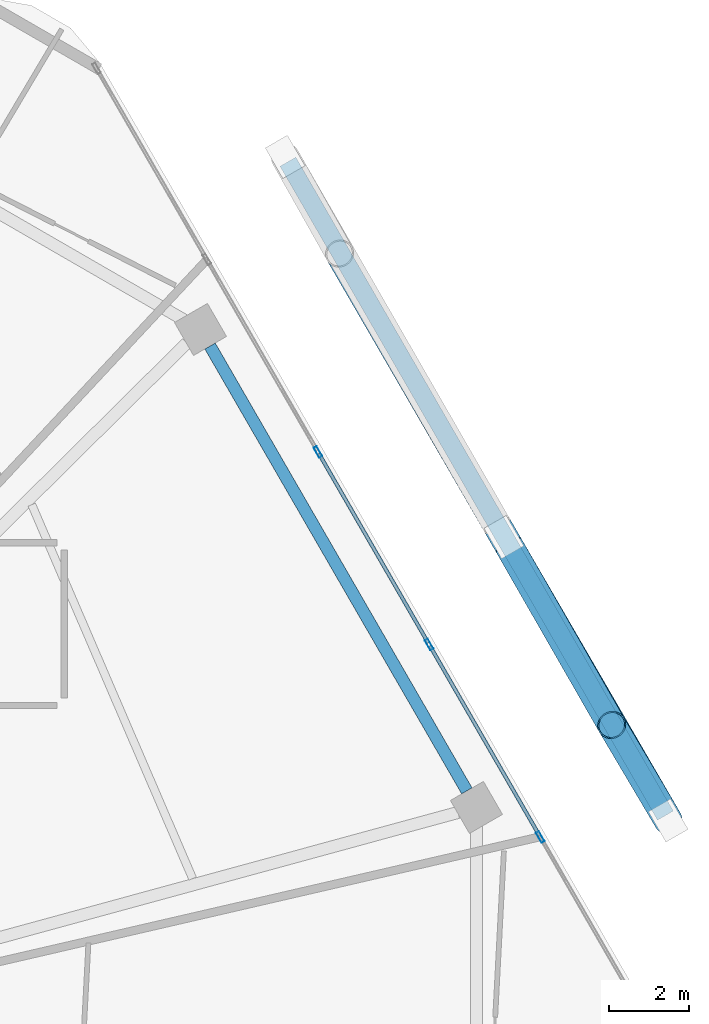
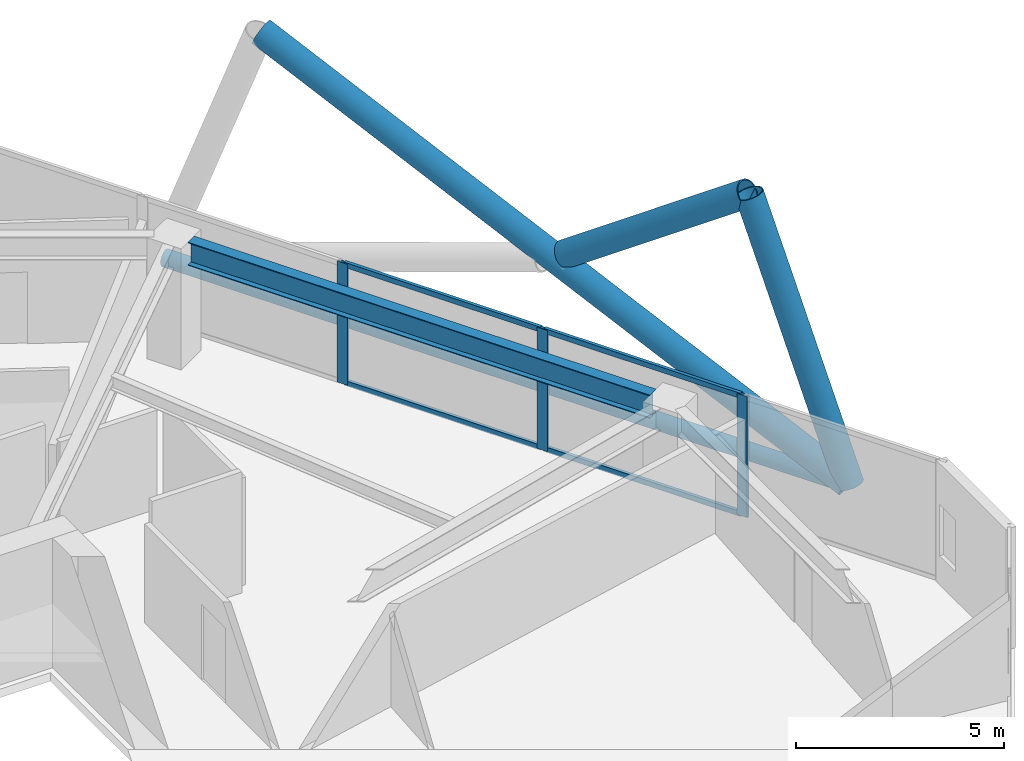
# One storey, part 16 of 28: 11 members, 1 beam, 1 element without a shape of its own.
"""IFC4 building model written with IfcOpenShell, lengths in metres."""

from ifc_helpers import new_model, si_unit, direction, frame, origin, origin_2d, place, context, subcontext, project, spatial, hollow_rectangle, hollow_circle, i_section, extrude, material, material_profile, profile_set, type_object, element, aggregate, save


model = new_model("IFC4")

# Units and contexts
model_context = context("Model", 3, precision=1e-05, world=origin(), true_north=direction((0.0, 1.0)))
body_context = subcontext(model_context, "Body", "Model", "MODEL_VIEW")
ifc_project = project(units=[si_unit("LENGTHUNIT", "METRE"), si_unit("AREAUNIT", "SQUARE_METRE"), si_unit("VOLUMEUNIT", "CUBIC_METRE"), si_unit("PLANEANGLEUNIT", "RADIAN"), si_unit("MASSUNIT", "GRAM", prefix="KILO")], contexts=[model_context])

# Site, building, storey
site_placement = place(None, origin())
site = spatial("IfcSite", under=ifc_project, at=site_placement, CompositionType="ELEMENT")
building_placement = place(site_placement, origin())
building = spatial("IfcBuilding", under=site, at=building_placement, Name="Zuhravey Tower", CompositionType="ELEMENT")
storey_placement = place(building_placement, frame((0.0, 0.0, 207.39990234375)))
storey = spatial("IfcBuildingStorey", under=building, at=storey_placement, Name="L52", CompositionType="ELEMENT", Elevation=207.39990234375)

# Curtain wall, members
ifc_material_1 = material(Name="Thermally broken anodised aluminium", Category="aluminium")
curtain_wall_type = type_object("IfcCurtainWallType", Name="Zone 1-2 Residential Curtain Wall CW3", PredefinedType="NOTDEFINED", material=ifc_material_1)
curtain_wall_placement = place(storey_placement, origin())
curtain_wall = element("IfcCurtainWall", 1, at=curtain_wall_placement, inside=storey, type_object=curtain_wall_type, Name="L52 CW3 CW-L52-F1-1", PredefinedType="NOTDEFINED")
ifc_material_2 = material(Name="Anodised aluminium", Category="aluminium")
ifc_material_profile_1 = material_profile(ifc_material_2, hollow_rectangle(XDim=0.090087890625, YDim=0.284912109375, WallThickness=0.0048828125, at=origin_2d()), Name="ALU-RHS-90x285x5")
ifc_profile_set_1 = profile_set([ifc_material_profile_1], Name="Anodised aluminium")
member_type_1 = type_object("IfcMemberType", Name="Curtain-Wall Mullion 90x180", PredefinedType="MULLION", material=ifc_profile_set_1)
member_1_placement = place(storey_placement, frame((58.155029296875, 47.992431640625, 0.0), z_axis=(0.0, 0.0, 1.0), x_axis=(0.866025138215, 0.500000459979, 0.0)))
member_1 = element("IfcMember", 2, at=member_1_placement, type_object=member_type_1, Name="CW3 mullion 3", PredefinedType="MULLION", context=body_context, shape_type="SweptSolid", body=[
    extrude(hollow_rectangle(XDim=0.090087890625, YDim=0.284912109375, WallThickness=0.0048828125, at=origin_2d()), origin(), (0.0, 0.0, 1.0), 3.550048828125),
])
member_2_placement = place(storey_placement, frame((60.92724609375, 43.190673828125, 0.0), z_axis=(0.0, 0.0, 1.0), x_axis=(0.866025138215, 0.500000459979, 0.0)))
member_2 = element("IfcMember", 3, at=member_2_placement, type_object=member_type_1, Name="CW3 mullion 4", PredefinedType="MULLION", context=body_context, shape_type="SweptSolid", body=[
    extrude(hollow_rectangle(XDim=0.090087890625, YDim=0.284912109375, WallThickness=0.0048828125, at=origin_2d()), origin(), (0.0, 0.0, 1.0), 3.550048828125),
])
member_3_placement = place(storey_placement, frame((63.699462890625, 38.38916015625, 0.0), z_axis=(0.0, 0.0, 1.0), x_axis=(0.866025138215, 0.500000459979, 0.0)))
member_3 = element("IfcMember", 4, at=member_3_placement, type_object=member_type_1, Name="CW3 mullion 5", PredefinedType="MULLION", context=body_context, shape_type="SweptSolid", body=[
    extrude(hollow_rectangle(XDim=0.090087890625, YDim=0.284912109375, WallThickness=0.0048828125, at=origin_2d()), origin(), (0.0, 0.0, 1.0), 3.550048828125),
])
ifc_material_profile_2 = material_profile(ifc_material_2, hollow_rectangle(XDim=0.090087890625, YDim=0.14990234375, WallThickness=0.0048828125, at=origin_2d()), Name="ALU-RHS-90x150x5")
ifc_profile_set_2 = profile_set([ifc_material_profile_2], Name="Anodised aluminium")
member_type_2 = type_object("IfcMemberType", Name="Curtain-Wall Transom 90x150", PredefinedType="USERDEFINED", material=ifc_profile_set_2)
member_4_placement = place(storey_placement, frame((58.177734375, 47.953369140625, 0.045166015625), z_axis=(0.499980763544, -0.866036509673, 0.0), x_axis=(0.866036509673, 0.499980763544, 0.0)))
member_4 = element("IfcMember", 5, at=member_4_placement, type_object=member_type_2, Name="CW3 transom 3.1", ObjectType="TRANSOM", PredefinedType="USERDEFINED", context=body_context, shape_type="SweptSolid", body=[
    extrude(hollow_rectangle(XDim=0.090087890625, YDim=0.14990234375, WallThickness=0.0048828125, at=origin_2d()), origin(), (0.0, 0.0, 1.0), 5.454345703125),
])
member_5_placement = place(storey_placement, frame((58.177734375, 47.953369140625, 3.505126953125), z_axis=(0.499980763544, -0.866036509673, 0.0), x_axis=(0.866036509673, 0.499980763544, 0.0)))
member_5 = element("IfcMember", 6, at=member_5_placement, type_object=member_type_2, Name="CW3 transom 3.2", ObjectType="TRANSOM", PredefinedType="USERDEFINED", context=body_context, shape_type="SweptSolid", body=[
    extrude(hollow_rectangle(XDim=0.090087890625, YDim=0.14990234375, WallThickness=0.0048828125, at=origin_2d()), origin(), (0.0, 0.0, 1.0), 5.454345703125),
])
member_6_placement = place(storey_placement, frame((60.949951171875, 43.15185546875, 0.045166015625), z_axis=(0.49996138257, -0.86604769842, 0.0), x_axis=(0.86604769842, 0.49996138257, 0.0)))
member_6 = element("IfcMember", 7, at=member_6_placement, type_object=member_type_2, Name="CW3 transom 4.1", ObjectType="TRANSOM", PredefinedType="USERDEFINED", context=body_context, shape_type="SweptSolid", body=[
    extrude(hollow_rectangle(XDim=0.090087890625, YDim=0.14990234375, WallThickness=0.0048828125, at=origin_2d()), origin(), (0.0, 0.0, 1.0), 5.45458984375),
])
member_7_placement = place(storey_placement, frame((60.949951171875, 43.15185546875, 3.505126953125), z_axis=(0.49996138257, -0.86604769842, 0.0), x_axis=(0.86604769842, 0.49996138257, 0.0)))
member_7 = element("IfcMember", 8, at=member_7_placement, type_object=member_type_2, Name="CW3 transom 4.2", ObjectType="TRANSOM", PredefinedType="USERDEFINED", context=body_context, shape_type="SweptSolid", body=[
    extrude(hollow_rectangle(XDim=0.090087890625, YDim=0.14990234375, WallThickness=0.0048828125, at=origin_2d()), origin(), (0.0, 0.0, 1.0), 5.45458984375),
])
aggregate(curtain_wall, [member_1, member_2, member_3, member_4, member_5, member_6, member_7])

# Members
ifc_material_3 = material(Name="Steel SM355", Category="steel")
ifc_material_profile_3 = material_profile(ifc_material_3, hollow_circle(Radius=0.228515625, WallThickness=0.02197265625, at=origin_2d()), Name="CHS-457.2x22")
ifc_profile_set_3 = profile_set([ifc_material_profile_3], Name="Steel SM355")
member_type_3 = type_object("IfcMemberType", Name="Exoskeleton Ring Tie CHS457x22", PredefinedType="CHORD", material=ifc_profile_set_3)
member_8_placement = place(storey_placement, frame((66.82080078125, 38.9228515625, -0.4638671875), z_axis=(-0.499989194203, 0.866031642424, 0.0), x_axis=(-0.866031642424, -0.499989194203, 0.0)))
element("IfcMember", 9, at=member_8_placement, inside=storey, type_object=member_type_3, Name="L52 Exoskeleton Face 1 Tie EXR1", PredefinedType="CHORD", context=body_context, shape_type="SweptSolid", body=[
    extrude(hollow_circle(Radius=0.228515625, WallThickness=0.02197265625, at=origin_2d()), origin(), (0.0, 0.0, 1.0), 18.830078125),
])
ifc_material_4 = material(Name="Steel SM460", Category="steel")
ifc_material_profile_4 = material_profile(ifc_material_4, hollow_circle(Radius=0.355712890625, WallThickness=0.031982421875, at=origin_2d()), Name="CHS-711.2x32")
ifc_profile_set_4 = profile_set([ifc_material_profile_4], Name="Steel SM460")
member_type_4 = type_object("IfcMemberType", Name="Exoskeleton Zone 2 Diagrid CHS711x32", PredefinedType="BRACE", material=ifc_profile_set_4)
member_9_placement = place(storey_placement, frame((66.886962890625, 38.807861328125, -0.44384765625), z_axis=(-0.174641459802, 0.295103720853, 0.939369019319), x_axis=(-0.860591717752, -0.509295489217, 0.0)))
element("IfcMember", 10, at=member_9_placement, inside=storey, type_object=member_type_4, Name="L52 Face 1 Diagrid Brace 1", PredefinedType="BRACE", context=body_context, shape_type="SweptSolid", body=[
    extrude(hollow_circle(Radius=0.355712890625, WallThickness=0.031982421875, at=origin_2d()), origin(), (0.0, 0.0, 1.0), 8.048095703125),
])
member_10_placement = place(storey_placement, frame((66.869140625, 38.8388671875, -0.44384765625), z_axis=(-0.454774771515, 0.784375801066, 0.421822841837), x_axis=(-0.865109294799, -0.501583400894, 0.0)))
element("IfcMember", 11, at=member_10_placement, inside=storey, type_object=member_type_4, Name="L52 Face 1 Diagrid Brace 2", PredefinedType="BRACE", context=body_context, shape_type="SweptSolid", body=[
    extrude(hollow_circle(Radius=0.355712890625, WallThickness=0.031982421875, at=origin_2d()), origin(), (0.0, 0.0, 1.0), 17.92236328125),
])
member_11_placement = place(storey_placement, frame((62.934326171875, 45.622802734375, 3.53515625), z_axis=(0.406784247849, -0.709108472675, 0.5759268614), x_axis=(0.867409677622, 0.497594665535, 0.0)))
element("IfcMember", 12, at=member_11_placement, inside=storey, type_object=member_type_4, Name="L52 Face 1 Split Diagrid Brace 3B", PredefinedType="BRACE", context=body_context, shape_type="SweptSolid", body=[
    extrude(hollow_circle(Radius=0.355712890625, WallThickness=0.031982421875, at=origin_2d()), origin(), (0.0, 0.0, 1.0), 6.205078125),
])

# Beam
ifc_material_profile_5 = material_profile(ifc_material_3, i_section(OverallWidth=0.300048828125, OverallDepth=0.679931640625, WebThickness=0.012939453125, FlangeThickness=0.02197265625, at=origin_2d()), Name="H-680x300x13x22")
ifc_profile_set_5 = profile_set([ifc_material_profile_5], Name="Steel SM355")
beam_type = type_object("IfcBeamType", Name="Perimeter Ring Beam H680x300", PredefinedType="BEAM", material=ifc_profile_set_5)
beam_placement = place(storey_placement, frame((61.86865234375, 39.54052734375, 3.210205078125), z_axis=(-0.500003505699, 0.866023379758, 0.0), x_axis=(-0.866023379758, -0.500003505699, 0.0)))
element("IfcBeam", 13, at=beam_placement, inside=storey, type_object=beam_type, Name="L52 PB2 BM-L52-PB-01", PredefinedType="BEAM", context=body_context, shape_type="SweptSolid", body=[
    extrude(i_section(OverallWidth=0.300048828125, OverallDepth=0.679931640625, WebThickness=0.012939453125, FlangeThickness=0.02197265625, at=origin_2d()), origin(), (0.0, 0.0, 1.0), 12.80810546875),
])

save(model, "model.ifc")
